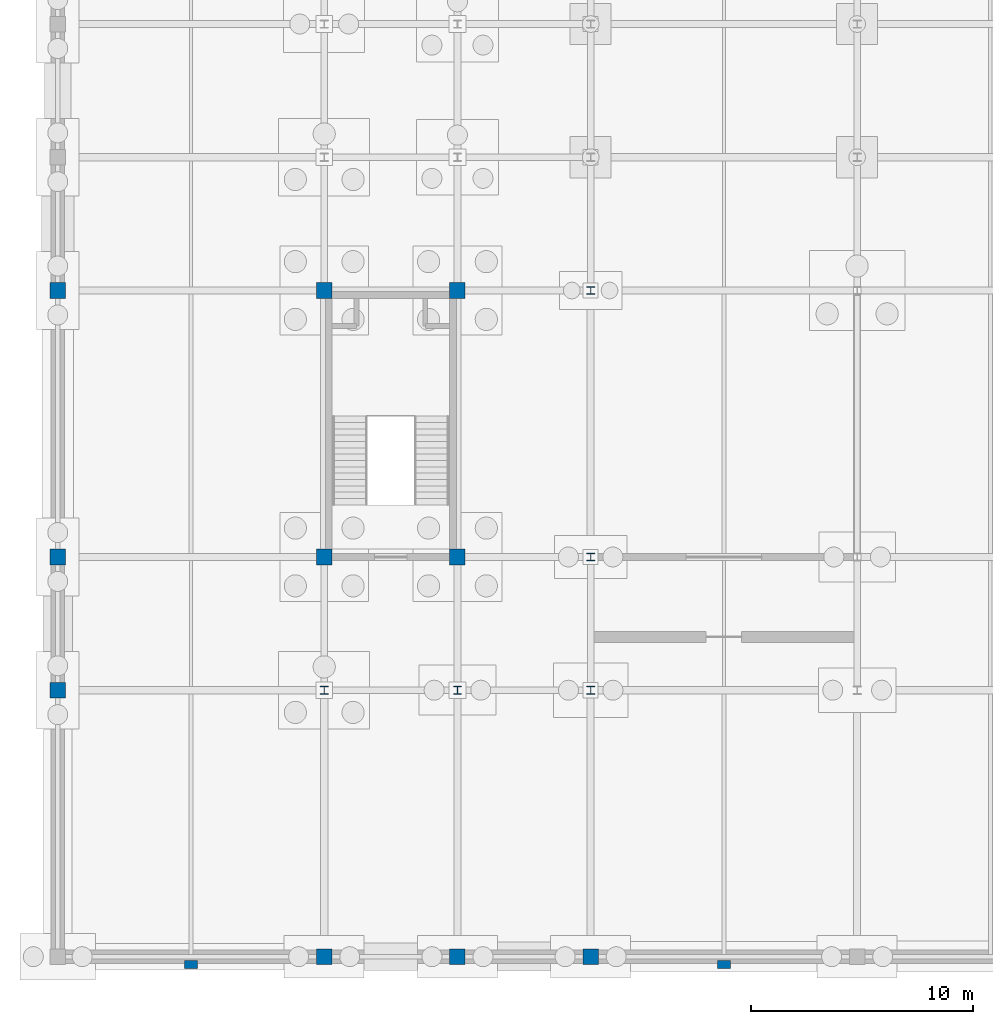
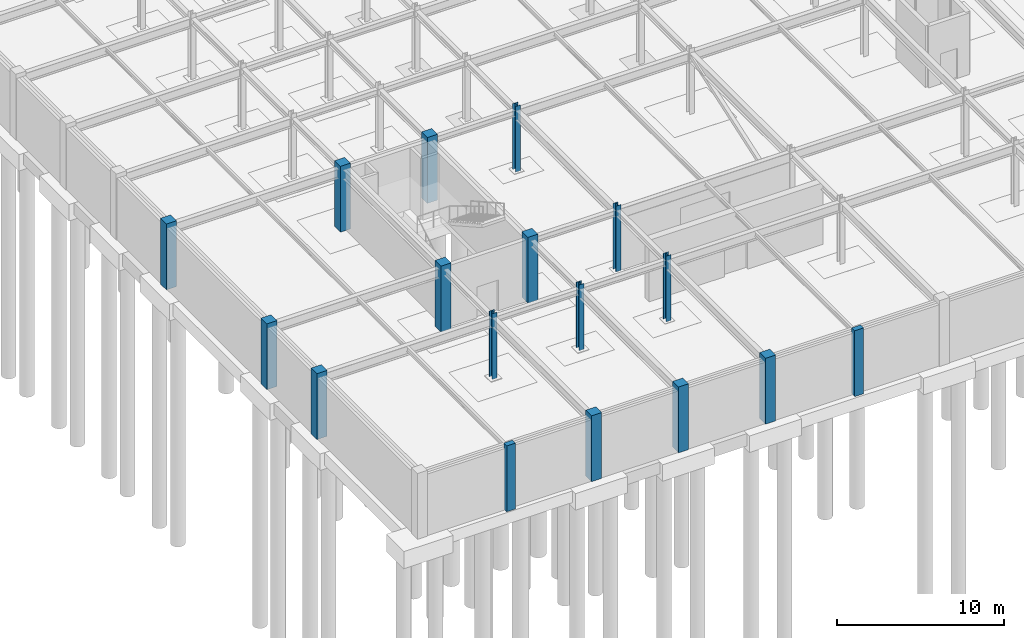
# One storey, part 12 of 69: 17 columns.
"""IFC4 building model written with IfcOpenShell, lengths in metres."""

from ifc_helpers import new_model, si_unit, direction, frame, origin, origin_2d, place, context, subcontext, project, spatial, rectangle, i_section, extrude, material, material_profile, profile_set, type_object, element, save


model = new_model("IFC4")

# Units and contexts
model_context = context("Model", 3, precision=1e-05, world=origin(), true_north=direction((0.0, 1.0)))
body_context = subcontext(model_context, "Body", "Model", "MODEL_VIEW")
ifc_project = project(units=[si_unit("LENGTHUNIT", "METRE"), si_unit("AREAUNIT", "SQUARE_METRE"), si_unit("VOLUMEUNIT", "CUBIC_METRE"), si_unit("PLANEANGLEUNIT", "RADIAN"), si_unit("MASSUNIT", "GRAM", prefix="KILO")], contexts=[model_context])

# Site, building, storey
site_placement = place(None, origin())
site = spatial("IfcSite", under=ifc_project, at=site_placement, CompositionType="ELEMENT")
building_placement = place(site_placement, origin())
building = spatial("IfcBuilding", under=site, at=building_placement, Name="Zlatovratsky Civic Hall", CompositionType="ELEMENT")
storey_placement = place(building_placement, frame((0.0, 0.0, -4.800048828125)))
storey = spatial("IfcBuildingStorey", under=building, at=storey_placement, Name="B1", CompositionType="ELEMENT", Elevation=-4.800048828125)

# Columns
ifc_material_1 = material(Name="Concrete C35/45 (B40)", Category="concrete")
ifc_material_profile_1 = material_profile(ifc_material_1, rectangle(XDim=0.699951171875, YDim=0.699951171875, at=origin_2d()), Name="RC 700x700")
ifc_profile_set_1 = profile_set([ifc_material_profile_1], Name="Concrete C35/45 (B40)")
column_type_1 = type_object("IfcColumnType", Name="Col_CorePier_RC700", PredefinedType="COLUMN", material=ifc_profile_set_1)
for number, where, z_axis, x_axis, name in (
    (1, (12.0, 0.0, 0.0), (0.0, 0.0, 1.0), (1.0, 0.0, 0.0), "CL-0004"),
    (2, (18.0, 0.0, 0.0), (0.0, 0.0, 1.0), (1.0, 0.0, 0.0), "CL-0005"),
    (3, (24.0, 0.0, 0.0), (0.0, 0.0, 1.0), (1.0, 0.0, 0.0), "CL-0006"),
    (4, (0.0, 12.0, 0.0), (0.0, 0.0, 1.0), (1.0, 0.0, 0.0), "CL-0026"),
    (5, (0.0, 18.0, 0.0), (0.0, 0.0, 1.0), (1.0, 0.0, 0.0), "CL-0049"),
    (6, (12.0, 18.0, 0.0), (0.0, 0.0, 1.0), (1.0, 0.0, 0.0), "CL-0050"),
    (7, (18.0, 18.0, 0.0), (0.0, 0.0, 1.0), (1.0, 0.0, 0.0), "CL-0051"),
    (8, (0.0, 30.0, 0.0), (0.0, 0.0, 1.0), (1.0, 0.0, 0.0), "CL-0072"),
    (9, (12.0, 30.0, 0.0), (0.0, 0.0, 1.0), (1.0, 0.0, 0.0), "CL-0073"),
    (10, (18.0, 30.0, 0.0), (0.0, 0.0, 1.0), (1.0, 0.0, 0.0), "CL-0074"),
):
    element("IfcColumn", number, at=place(storey_placement, frame(where, z_axis=z_axis, x_axis=x_axis)), inside=storey, type_object=column_type_1, Name=name, PredefinedType="COLUMN", context=body_context, shape_type="SweptSolid", body=[
        extrude(rectangle(XDim=0.699951171875, YDim=0.699951171875, at=origin_2d()), origin(), (0.0, 0.0, 1.0), 4.800048828125),
    ])
ifc_material_2 = material(Name="Steel S355", Category="steel")
ifc_material_profile_2 = material_profile(ifc_material_2, i_section(OverallWidth=0.35009765625, OverallDepth=0.35009765625, WebThickness=0.011962890625, FlangeThickness=0.01904296875, FilletRadius=0.02001953125, at=origin_2d()), Name="35K2")
ifc_profile_set_2 = profile_set([ifc_material_profile_2], Name="Steel S355")
column_type_2 = type_object("IfcColumnType", Name="Col_Steel_35K2", PredefinedType="COLUMN", material=ifc_profile_set_2)
for number, where, z_axis, x_axis, name in (
    (11, (12.0, 12.0, 0.0), (0.0, 0.0, 1.0), (1.0, 0.0, 0.0), "CL-0027"),
    (12, (18.0, 12.0, 0.0), (0.0, 0.0, 1.0), (1.0, 0.0, 0.0), "CL-0028"),
    (13, (24.0, 12.0, 0.0), (0.0, 0.0, 1.0), (1.0, 0.0, 0.0), "CL-0029"),
    (14, (24.0, 18.0, 0.0), (0.0, 0.0, 1.0), (1.0, 0.0, 0.0), "CL-0052"),
    (15, (24.0, 30.0, 0.0), (0.0, 0.0, 1.0), (1.0, 0.0, 0.0), "CL-0075"),
):
    element("IfcColumn", number, at=place(storey_placement, frame(where, z_axis=z_axis, x_axis=x_axis)), inside=storey, type_object=column_type_2, Name=name, PredefinedType="COLUMN", context=body_context, shape_type="SweptSolid", body=[
        extrude(i_section(OverallWidth=0.35009765625, OverallDepth=0.35009765625, WebThickness=0.011962890625, FlangeThickness=0.01904296875, FilletRadius=0.02001953125, at=origin_2d()), origin(), (0.0, 0.0, 1.0), 4.800048828125),
    ])
ifc_material_profile_3 = material_profile(ifc_material_1, rectangle(XDim=0.60009765625, YDim=0.360107421875, at=origin_2d()), Name="RC 600x360")
ifc_profile_set_3 = profile_set([ifc_material_profile_3], Name="Concrete C35/45 (B40)")
column_type_3 = type_object("IfcColumnType", Name="Pilaster_Classical_RC600x360", PredefinedType="PILASTER", material=ifc_profile_set_3)
for number, where, z_axis, x_axis, name in (
    (16, (6.0, -0.35009765625, 0.0), (0.0, 0.0, 1.0), (1.0, 0.0, 0.0), "CL-2715"),
    (17, (30.0, -0.35009765625, 0.0), (0.0, 0.0, 1.0), (1.0, 0.0, 0.0), "CL-2716"),
):
    element("IfcColumn", number, at=place(storey_placement, frame(where, z_axis=z_axis, x_axis=x_axis)), inside=storey, type_object=column_type_3, Name=name, PredefinedType="PILASTER", context=body_context, shape_type="SweptSolid", body=[
        extrude(rectangle(XDim=0.60009765625, YDim=0.360107421875, at=origin_2d()), origin(), (0.0, 0.0, 1.0), 4.800048828125),
    ])

save(model, "model.ifc")
